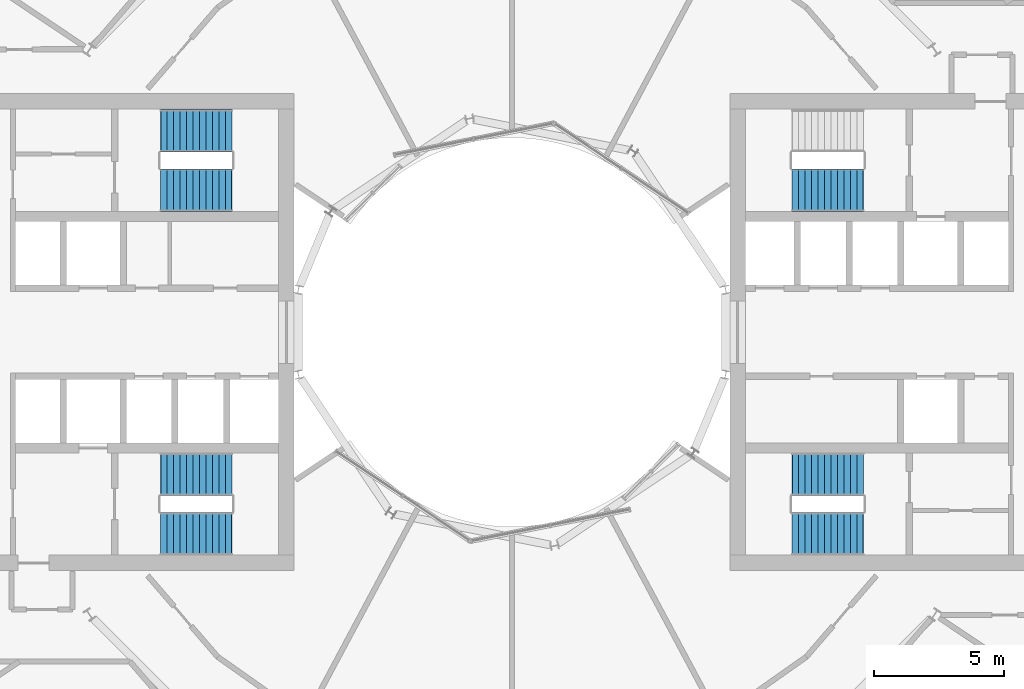
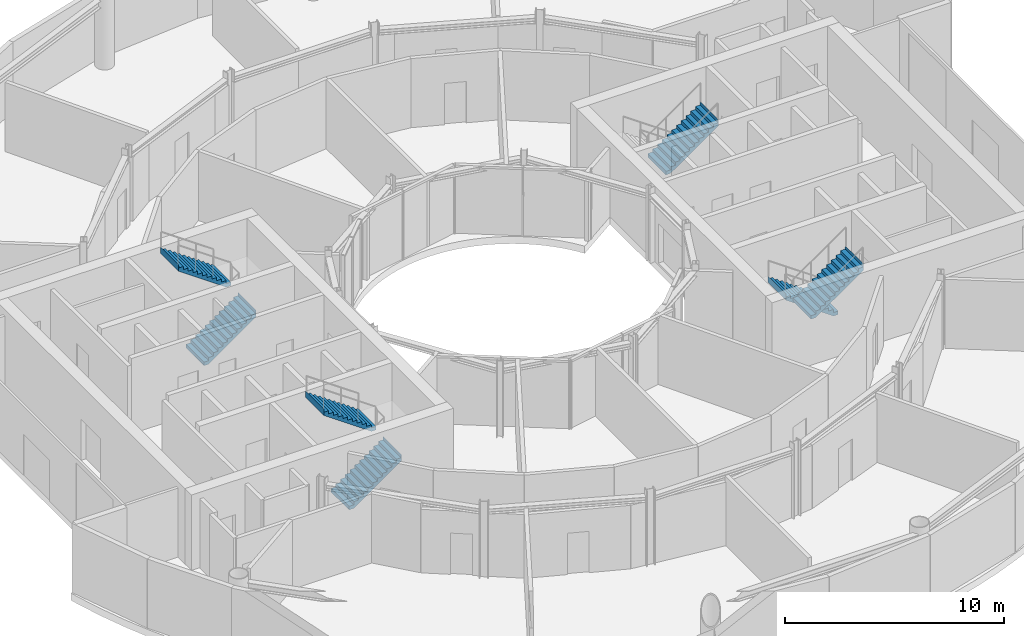
# One storey, part 16 of 18: 7 stair flights, 4 elements without a shape of their own.
"""IFC4 building model written with IfcOpenShell, lengths in metres."""

from ifc_helpers import new_model, si_unit, direction, frame, origin, place, context, subcontext, project, spatial, triangles, material, type_object, element, aggregate, save


model = new_model("IFC4")

# Units and contexts
model_context = context("Model", 3, precision=1e-05, world=origin(), true_north=direction((0.0, 1.0)))
body_context = subcontext(model_context, "Body", "Model", "MODEL_VIEW")
ifc_project = project(units=[si_unit("LENGTHUNIT", "METRE"), si_unit("AREAUNIT", "SQUARE_METRE"), si_unit("VOLUMEUNIT", "CUBIC_METRE"), si_unit("PLANEANGLEUNIT", "RADIAN"), si_unit("MASSUNIT", "GRAM", prefix="KILO")], contexts=[model_context])

# Site, building, storey
site_placement = place(None, origin())
site = spatial("IfcSite", under=ifc_project, at=site_placement, CompositionType="ELEMENT")
building_placement = place(site_placement, origin())
building = spatial("IfcBuilding", under=site, at=building_placement, Name="Maasbend Ring Residences", CompositionType="ELEMENT")
storey_placement = place(building_placement, frame((0.0, 0.0, 103.25)))
storey = spatial("IfcBuildingStorey", under=building, at=storey_placement, Name="L29", CompositionType="ELEMENT", Elevation=103.25)

# Stair, stair flight
ifc_material_1 = material(Name="Concrete C40/50", Category="concrete")
stair_type = type_object("IfcStairType", Name="CORE STAIR 24 RISERS", PredefinedType="HALF_TURN_STAIR", material=ifc_material_1)
stair_1_placement = place(storey_placement, origin())
stair_1 = element("IfcStair", 1, at=stair_1_placement, inside=storey, type_object=stair_type, Name="L29 Exit stair ST-E1", PredefinedType="HALF_TURN_STAIR")
ifc_material_2 = material(Name="Concrete C40/50", Category="concrete")
stair_flight_type = type_object("IfcStairFlightType", Name="CORE STAIR FLIGHT 1650", PredefinedType="STRAIGHT", material=ifc_material_2)
stair_flight_1_placement = place(storey_placement, frame((10.800048828125, 5.47509765625, 2.10009765625), z_axis=(0.0, 0.0, 1.0), x_axis=(1.0, 0.0, 0.0)))
stair_flight_1 = element("IfcStairFlight", 2, at=stair_flight_1_placement, type_object=stair_flight_type, Name="ST-E1 flight 2", NumberOfRisers=12, NumberOfTreads=11, PredefinedType="STRAIGHT", RiserHeight=0.175, TreadLength=0.25, context=body_context, shape_type="Tessellation", body=[
    triangles([(0.23583984375, 0.824951171875, -0.02001953125), (2.7529296875, 0.824951171875, 1.741943359375), (2.7529296875, 0.824951171875, 2.10009765625), (2.739990234375, 0.824951171875, 1.925048828125), (2.5, 0.824951171875, 1.925048828125), (2.5, 0.824951171875, 1.75), (2.25, 0.824951171875, 1.75), (2.25, 0.824951171875, 1.574951171875), (2.0, 0.824951171875, 1.574951171875), (2.0, 0.824951171875, 1.39990234375), (1.75, 0.824951171875, 1.39990234375), (1.75, 0.824951171875, 1.22509765625), (1.5, 0.824951171875, 1.22509765625), (1.5, 0.824951171875, 1.050048828125), (1.25, 0.824951171875, 1.050048828125), (1.25, 0.824951171875, 0.875), (1.0, 0.824951171875, 0.875), (1.0, 0.824951171875, 0.699951171875), (0.75, 0.824951171875, 0.699951171875), (0.75, 0.824951171875, 0.52490234375), (0.5, 0.824951171875, 0.52490234375), (0.5, 0.824951171875, 0.35009765625), (0.25, 0.824951171875, 0.35009765625), (0.25, 0.824951171875, 0.175048828125), (0.0, 0.824951171875, 0.175048828125), (0.0, 0.824951171875, 0.0), (-0.0029296875, 0.824951171875, 0.0), (-0.0029296875, 0.824951171875, -0.02001953125), (0.23583984375, -0.824951171875, -0.02001953125), (2.7529296875, -0.824951171875, 1.741943359375), (2.7529296875, -0.824951171875, 2.10009765625), (2.739990234375, -0.824951171875, 1.925048828125), (2.5, -0.824951171875, 1.925048828125), (2.5, -0.824951171875, 1.75), (2.25, -0.824951171875, 1.75), (2.25, -0.824951171875, 1.574951171875), (2.0, -0.824951171875, 1.574951171875), (2.0, -0.824951171875, 1.39990234375), (1.75, -0.824951171875, 1.39990234375), (1.75, -0.824951171875, 1.22509765625), (1.5, -0.824951171875, 1.22509765625), (1.5, -0.824951171875, 1.050048828125), (1.25, -0.824951171875, 1.050048828125), (1.25, -0.824951171875, 0.875), (1.0, -0.824951171875, 0.875), (1.0, -0.824951171875, 0.699951171875), (0.75, -0.824951171875, 0.699951171875), (0.75, -0.824951171875, 0.52490234375), (0.5, -0.824951171875, 0.52490234375), (0.5, -0.824951171875, 0.35009765625), (0.25, -0.824951171875, 0.35009765625), (0.25, -0.824951171875, 0.175048828125), (0.0, -0.824951171875, 0.175048828125), (0.0, -0.824951171875, 0.0), (-0.0029296875, -0.824951171875, 0.0), (-0.0029296875, -0.824951171875, -0.02001953125)], [[1, 2, 30], [1, 30, 29], [2, 3, 31], [2, 31, 30], [3, 4, 32], [3, 32, 31], [4, 5, 33], [4, 33, 32], [5, 6, 34], [5, 34, 33], [6, 7, 35], [6, 35, 34], [7, 8, 36], [7, 36, 35], [8, 9, 37], [8, 37, 36], [9, 10, 38], [9, 38, 37], [10, 11, 39], [10, 39, 38], [11, 12, 40], [11, 40, 39], [12, 13, 41], [12, 41, 40], [13, 14, 42], [13, 42, 41], [14, 15, 43], [14, 43, 42], [15, 16, 44], [15, 44, 43], [16, 17, 45], [16, 45, 44], [17, 18, 46], [17, 46, 45], [18, 19, 47], [18, 47, 46], [19, 20, 48], [19, 48, 47], [20, 21, 49], [20, 49, 48], [21, 22, 50], [21, 50, 49], [22, 23, 51], [22, 51, 50], [23, 24, 52], [23, 52, 51], [24, 25, 53], [24, 53, 52], [25, 26, 54], [25, 54, 53], [26, 27, 55], [26, 55, 54], [27, 28, 56], [27, 56, 55], [28, 1, 29], [28, 29, 56], [28, 2, 1], [2, 4, 3], [2, 5, 4], [2, 6, 5], [28, 6, 2], [6, 8, 7], [28, 8, 6], [8, 10, 9], [28, 10, 8], [10, 12, 11], [28, 12, 10], [12, 14, 13], [28, 14, 12], [14, 16, 15], [28, 16, 14], [16, 18, 17], [28, 18, 16], [18, 20, 19], [28, 20, 18], [20, 22, 21], [28, 22, 20], [22, 24, 23], [28, 24, 22], [24, 26, 25], [28, 26, 24], [26, 28, 27], [56, 29, 30], [30, 31, 32], [30, 32, 33], [30, 33, 34], [56, 30, 34], [34, 35, 36], [56, 34, 36], [36, 37, 38], [56, 36, 38], [38, 39, 40], [56, 38, 40], [40, 41, 42], [56, 40, 42], [42, 43, 44], [56, 42, 44], [44, 45, 46], [56, 44, 46], [46, 47, 48], [56, 46, 48], [48, 49, 50], [56, 48, 50], [50, 51, 52], [56, 50, 52], [52, 53, 54], [56, 52, 54], [54, 55, 56]], closed=True),
])
aggregate(stair_1, [stair_flight_1])

# Stair, stair flights
stair_2_placement = place(storey_placement, origin())
stair_2 = element("IfcStair", 3, at=stair_2_placement, inside=storey, type_object=stair_type, Name="L29 Exit stair ST-E2", PredefinedType="HALF_TURN_STAIR")
stair_flight_2_placement = place(storey_placement, frame((13.550048828125, -5.47509765625, 0.0), z_axis=(0.0, 0.0, 1.0), x_axis=(-1.0, 0.0, 0.0)))
stair_flight_2 = element("IfcStairFlight", 4, at=stair_flight_2_placement, type_object=stair_flight_type, Name="ST-E2 flight 1", NumberOfRisers=12, NumberOfTreads=11, PredefinedType="STRAIGHT", RiserHeight=0.175, TreadLength=0.25, context=body_context, shape_type="Tessellation", body=[
    triangles([(0.23583984375, 0.824951171875, -0.02001953125), (2.7529296875, 0.824951171875, 1.741943359375), (2.7529296875, 0.824951171875, 2.10009765625), (2.739990234375, 0.824951171875, 1.925048828125), (2.5, 0.824951171875, 1.925048828125), (2.5, 0.824951171875, 1.75), (2.25, 0.824951171875, 1.75), (2.25, 0.824951171875, 1.574951171875), (2.0, 0.824951171875, 1.574951171875), (2.0, 0.824951171875, 1.39990234375), (1.75, 0.824951171875, 1.39990234375), (1.75, 0.824951171875, 1.22509765625), (1.5, 0.824951171875, 1.22509765625), (1.5, 0.824951171875, 1.050048828125), (1.25, 0.824951171875, 1.050048828125), (1.25, 0.824951171875, 0.875), (1.0, 0.824951171875, 0.875), (1.0, 0.824951171875, 0.699951171875), (0.75, 0.824951171875, 0.699951171875), (0.75, 0.824951171875, 0.52490234375), (0.5, 0.824951171875, 0.52490234375), (0.5, 0.824951171875, 0.35009765625), (0.25, 0.824951171875, 0.35009765625), (0.25, 0.824951171875, 0.175048828125), (0.0, 0.824951171875, 0.175048828125), (0.0, 0.824951171875, 0.0), (-0.0029296875, 0.824951171875, 0.0), (-0.0029296875, 0.824951171875, -0.02001953125), (0.23583984375, -0.824951171875, -0.02001953125), (2.7529296875, -0.824951171875, 1.741943359375), (2.7529296875, -0.824951171875, 2.10009765625), (2.739990234375, -0.824951171875, 1.925048828125), (2.5, -0.824951171875, 1.925048828125), (2.5, -0.824951171875, 1.75), (2.25, -0.824951171875, 1.75), (2.25, -0.824951171875, 1.574951171875), (2.0, -0.824951171875, 1.574951171875), (2.0, -0.824951171875, 1.39990234375), (1.75, -0.824951171875, 1.39990234375), (1.75, -0.824951171875, 1.22509765625), (1.5, -0.824951171875, 1.22509765625), (1.5, -0.824951171875, 1.050048828125), (1.25, -0.824951171875, 1.050048828125), (1.25, -0.824951171875, 0.875), (1.0, -0.824951171875, 0.875), (1.0, -0.824951171875, 0.699951171875), (0.75, -0.824951171875, 0.699951171875), (0.75, -0.824951171875, 0.52490234375), (0.5, -0.824951171875, 0.52490234375), (0.5, -0.824951171875, 0.35009765625), (0.25, -0.824951171875, 0.35009765625), (0.25, -0.824951171875, 0.175048828125), (0.0, -0.824951171875, 0.175048828125), (0.0, -0.824951171875, 0.0), (-0.0029296875, -0.824951171875, 0.0), (-0.0029296875, -0.824951171875, -0.02001953125)], [[1, 2, 30], [1, 30, 29], [2, 3, 31], [2, 31, 30], [3, 4, 32], [3, 32, 31], [4, 5, 33], [4, 33, 32], [5, 6, 34], [5, 34, 33], [6, 7, 35], [6, 35, 34], [7, 8, 36], [7, 36, 35], [8, 9, 37], [8, 37, 36], [9, 10, 38], [9, 38, 37], [10, 11, 39], [10, 39, 38], [11, 12, 40], [11, 40, 39], [12, 13, 41], [12, 41, 40], [13, 14, 42], [13, 42, 41], [14, 15, 43], [14, 43, 42], [15, 16, 44], [15, 44, 43], [16, 17, 45], [16, 45, 44], [17, 18, 46], [17, 46, 45], [18, 19, 47], [18, 47, 46], [19, 20, 48], [19, 48, 47], [20, 21, 49], [20, 49, 48], [21, 22, 50], [21, 50, 49], [22, 23, 51], [22, 51, 50], [23, 24, 52], [23, 52, 51], [24, 25, 53], [24, 53, 52], [25, 26, 54], [25, 54, 53], [26, 27, 55], [26, 55, 54], [27, 28, 56], [27, 56, 55], [28, 1, 29], [28, 29, 56], [28, 2, 1], [2, 4, 3], [2, 5, 4], [2, 6, 5], [28, 6, 2], [6, 8, 7], [28, 8, 6], [8, 10, 9], [28, 10, 8], [10, 12, 11], [28, 12, 10], [12, 14, 13], [28, 14, 12], [14, 16, 15], [28, 16, 14], [16, 18, 17], [28, 18, 16], [18, 20, 19], [28, 20, 18], [20, 22, 21], [28, 22, 20], [22, 24, 23], [28, 24, 22], [24, 26, 25], [28, 26, 24], [26, 28, 27], [56, 29, 30], [30, 31, 32], [30, 32, 33], [30, 33, 34], [56, 30, 34], [34, 35, 36], [56, 34, 36], [36, 37, 38], [56, 36, 38], [38, 39, 40], [56, 38, 40], [40, 41, 42], [56, 40, 42], [42, 43, 44], [56, 42, 44], [44, 45, 46], [56, 44, 46], [46, 47, 48], [56, 46, 48], [48, 49, 50], [56, 48, 50], [50, 51, 52], [56, 50, 52], [52, 53, 54], [56, 52, 54], [54, 55, 56]], closed=True),
])
stair_flight_3_placement = place(storey_placement, frame((10.800048828125, -7.77490234375, 2.10009765625), z_axis=(0.0, 0.0, 1.0), x_axis=(1.0, 0.0, 0.0)))
stair_flight_3 = element("IfcStairFlight", 5, at=stair_flight_3_placement, type_object=stair_flight_type, Name="ST-E2 flight 2", NumberOfRisers=12, NumberOfTreads=11, PredefinedType="STRAIGHT", RiserHeight=0.175, TreadLength=0.25, context=body_context, shape_type="Tessellation", body=[
    triangles([(0.23583984375, 0.824951171875, -0.02001953125), (2.7529296875, 0.824951171875, 1.741943359375), (2.7529296875, 0.824951171875, 2.10009765625), (2.739990234375, 0.824951171875, 1.925048828125), (2.5, 0.824951171875, 1.925048828125), (2.5, 0.824951171875, 1.75), (2.25, 0.824951171875, 1.75), (2.25, 0.824951171875, 1.574951171875), (2.0, 0.824951171875, 1.574951171875), (2.0, 0.824951171875, 1.39990234375), (1.75, 0.824951171875, 1.39990234375), (1.75, 0.824951171875, 1.22509765625), (1.5, 0.824951171875, 1.22509765625), (1.5, 0.824951171875, 1.050048828125), (1.25, 0.824951171875, 1.050048828125), (1.25, 0.824951171875, 0.875), (1.0, 0.824951171875, 0.875), (1.0, 0.824951171875, 0.699951171875), (0.75, 0.824951171875, 0.699951171875), (0.75, 0.824951171875, 0.52490234375), (0.5, 0.824951171875, 0.52490234375), (0.5, 0.824951171875, 0.35009765625), (0.25, 0.824951171875, 0.35009765625), (0.25, 0.824951171875, 0.175048828125), (0.0, 0.824951171875, 0.175048828125), (0.0, 0.824951171875, 0.0), (-0.0029296875, 0.824951171875, 0.0), (-0.0029296875, 0.824951171875, -0.02001953125), (0.23583984375, -0.824951171875, -0.02001953125), (2.7529296875, -0.824951171875, 1.741943359375), (2.7529296875, -0.824951171875, 2.10009765625), (2.739990234375, -0.824951171875, 1.925048828125), (2.5, -0.824951171875, 1.925048828125), (2.5, -0.824951171875, 1.75), (2.25, -0.824951171875, 1.75), (2.25, -0.824951171875, 1.574951171875), (2.0, -0.824951171875, 1.574951171875), (2.0, -0.824951171875, 1.39990234375), (1.75, -0.824951171875, 1.39990234375), (1.75, -0.824951171875, 1.22509765625), (1.5, -0.824951171875, 1.22509765625), (1.5, -0.824951171875, 1.050048828125), (1.25, -0.824951171875, 1.050048828125), (1.25, -0.824951171875, 0.875), (1.0, -0.824951171875, 0.875), (1.0, -0.824951171875, 0.699951171875), (0.75, -0.824951171875, 0.699951171875), (0.75, -0.824951171875, 0.52490234375), (0.5, -0.824951171875, 0.52490234375), (0.5, -0.824951171875, 0.35009765625), (0.25, -0.824951171875, 0.35009765625), (0.25, -0.824951171875, 0.175048828125), (0.0, -0.824951171875, 0.175048828125), (0.0, -0.824951171875, 0.0), (-0.0029296875, -0.824951171875, 0.0), (-0.0029296875, -0.824951171875, -0.02001953125)], [[1, 2, 30], [1, 30, 29], [2, 3, 31], [2, 31, 30], [3, 4, 32], [3, 32, 31], [4, 5, 33], [4, 33, 32], [5, 6, 34], [5, 34, 33], [6, 7, 35], [6, 35, 34], [7, 8, 36], [7, 36, 35], [8, 9, 37], [8, 37, 36], [9, 10, 38], [9, 38, 37], [10, 11, 39], [10, 39, 38], [11, 12, 40], [11, 40, 39], [12, 13, 41], [12, 41, 40], [13, 14, 42], [13, 42, 41], [14, 15, 43], [14, 43, 42], [15, 16, 44], [15, 44, 43], [16, 17, 45], [16, 45, 44], [17, 18, 46], [17, 46, 45], [18, 19, 47], [18, 47, 46], [19, 20, 48], [19, 48, 47], [20, 21, 49], [20, 49, 48], [21, 22, 50], [21, 50, 49], [22, 23, 51], [22, 51, 50], [23, 24, 52], [23, 52, 51], [24, 25, 53], [24, 53, 52], [25, 26, 54], [25, 54, 53], [26, 27, 55], [26, 55, 54], [27, 28, 56], [27, 56, 55], [28, 1, 29], [28, 29, 56], [28, 2, 1], [2, 4, 3], [2, 5, 4], [2, 6, 5], [28, 6, 2], [6, 8, 7], [28, 8, 6], [8, 10, 9], [28, 10, 8], [10, 12, 11], [28, 12, 10], [12, 14, 13], [28, 14, 12], [14, 16, 15], [28, 16, 14], [16, 18, 17], [28, 18, 16], [18, 20, 19], [28, 20, 18], [20, 22, 21], [28, 22, 20], [22, 24, 23], [28, 24, 22], [24, 26, 25], [28, 26, 24], [26, 28, 27], [56, 29, 30], [30, 31, 32], [30, 32, 33], [30, 33, 34], [56, 30, 34], [34, 35, 36], [56, 34, 36], [36, 37, 38], [56, 36, 38], [38, 39, 40], [56, 38, 40], [40, 41, 42], [56, 40, 42], [42, 43, 44], [56, 42, 44], [44, 45, 46], [56, 44, 46], [46, 47, 48], [56, 46, 48], [48, 49, 50], [56, 48, 50], [50, 51, 52], [56, 50, 52], [52, 53, 54], [56, 52, 54], [54, 55, 56]], closed=True),
])
aggregate(stair_2, [stair_flight_2, stair_flight_3])

stair_3_placement = place(storey_placement, origin())
stair_3 = element("IfcStair", 6, at=stair_3_placement, inside=storey, type_object=stair_type, Name="L29 Exit stair ST-W1", PredefinedType="HALF_TURN_STAIR")
stair_flight_4_placement = place(storey_placement, frame((-13.550048828125, -7.77490234375, 0.0), z_axis=(0.0, 0.0, 1.0), x_axis=(1.0, 0.0, 0.0)))
stair_flight_4 = element("IfcStairFlight", 7, at=stair_flight_4_placement, type_object=stair_flight_type, Name="ST-W1 flight 1", NumberOfRisers=12, NumberOfTreads=11, PredefinedType="STRAIGHT", RiserHeight=0.175, TreadLength=0.25, context=body_context, shape_type="Tessellation", body=[
    triangles([(0.23583984375, 0.824951171875, -0.02001953125), (2.7529296875, 0.824951171875, 1.741943359375), (2.7529296875, 0.824951171875, 2.10009765625), (2.739990234375, 0.824951171875, 1.925048828125), (2.5, 0.824951171875, 1.925048828125), (2.5, 0.824951171875, 1.75), (2.25, 0.824951171875, 1.75), (2.25, 0.824951171875, 1.574951171875), (2.0, 0.824951171875, 1.574951171875), (2.0, 0.824951171875, 1.39990234375), (1.75, 0.824951171875, 1.39990234375), (1.75, 0.824951171875, 1.22509765625), (1.5, 0.824951171875, 1.22509765625), (1.5, 0.824951171875, 1.050048828125), (1.25, 0.824951171875, 1.050048828125), (1.25, 0.824951171875, 0.875), (1.0, 0.824951171875, 0.875), (1.0, 0.824951171875, 0.699951171875), (0.75, 0.824951171875, 0.699951171875), (0.75, 0.824951171875, 0.52490234375), (0.5, 0.824951171875, 0.52490234375), (0.5, 0.824951171875, 0.35009765625), (0.25, 0.824951171875, 0.35009765625), (0.25, 0.824951171875, 0.175048828125), (0.0, 0.824951171875, 0.175048828125), (0.0, 0.824951171875, 0.0), (-0.0029296875, 0.824951171875, 0.0), (-0.0029296875, 0.824951171875, -0.02001953125), (0.23583984375, -0.824951171875, -0.02001953125), (2.7529296875, -0.824951171875, 1.741943359375), (2.7529296875, -0.824951171875, 2.10009765625), (2.739990234375, -0.824951171875, 1.925048828125), (2.5, -0.824951171875, 1.925048828125), (2.5, -0.824951171875, 1.75), (2.25, -0.824951171875, 1.75), (2.25, -0.824951171875, 1.574951171875), (2.0, -0.824951171875, 1.574951171875), (2.0, -0.824951171875, 1.39990234375), (1.75, -0.824951171875, 1.39990234375), (1.75, -0.824951171875, 1.22509765625), (1.5, -0.824951171875, 1.22509765625), (1.5, -0.824951171875, 1.050048828125), (1.25, -0.824951171875, 1.050048828125), (1.25, -0.824951171875, 0.875), (1.0, -0.824951171875, 0.875), (1.0, -0.824951171875, 0.699951171875), (0.75, -0.824951171875, 0.699951171875), (0.75, -0.824951171875, 0.52490234375), (0.5, -0.824951171875, 0.52490234375), (0.5, -0.824951171875, 0.35009765625), (0.25, -0.824951171875, 0.35009765625), (0.25, -0.824951171875, 0.175048828125), (0.0, -0.824951171875, 0.175048828125), (0.0, -0.824951171875, 0.0), (-0.0029296875, -0.824951171875, 0.0), (-0.0029296875, -0.824951171875, -0.02001953125)], [[1, 2, 30], [1, 30, 29], [2, 3, 31], [2, 31, 30], [3, 4, 32], [3, 32, 31], [4, 5, 33], [4, 33, 32], [5, 6, 34], [5, 34, 33], [6, 7, 35], [6, 35, 34], [7, 8, 36], [7, 36, 35], [8, 9, 37], [8, 37, 36], [9, 10, 38], [9, 38, 37], [10, 11, 39], [10, 39, 38], [11, 12, 40], [11, 40, 39], [12, 13, 41], [12, 41, 40], [13, 14, 42], [13, 42, 41], [14, 15, 43], [14, 43, 42], [15, 16, 44], [15, 44, 43], [16, 17, 45], [16, 45, 44], [17, 18, 46], [17, 46, 45], [18, 19, 47], [18, 47, 46], [19, 20, 48], [19, 48, 47], [20, 21, 49], [20, 49, 48], [21, 22, 50], [21, 50, 49], [22, 23, 51], [22, 51, 50], [23, 24, 52], [23, 52, 51], [24, 25, 53], [24, 53, 52], [25, 26, 54], [25, 54, 53], [26, 27, 55], [26, 55, 54], [27, 28, 56], [27, 56, 55], [28, 1, 29], [28, 29, 56], [28, 2, 1], [2, 4, 3], [2, 5, 4], [2, 6, 5], [28, 6, 2], [6, 8, 7], [28, 8, 6], [8, 10, 9], [28, 10, 8], [10, 12, 11], [28, 12, 10], [12, 14, 13], [28, 14, 12], [14, 16, 15], [28, 16, 14], [16, 18, 17], [28, 18, 16], [18, 20, 19], [28, 20, 18], [20, 22, 21], [28, 22, 20], [22, 24, 23], [28, 24, 22], [24, 26, 25], [28, 26, 24], [26, 28, 27], [56, 29, 30], [30, 31, 32], [30, 32, 33], [30, 33, 34], [56, 30, 34], [34, 35, 36], [56, 34, 36], [36, 37, 38], [56, 36, 38], [38, 39, 40], [56, 38, 40], [40, 41, 42], [56, 40, 42], [42, 43, 44], [56, 42, 44], [44, 45, 46], [56, 44, 46], [46, 47, 48], [56, 46, 48], [48, 49, 50], [56, 48, 50], [50, 51, 52], [56, 50, 52], [52, 53, 54], [56, 52, 54], [54, 55, 56]], closed=True),
])
stair_flight_5_placement = place(storey_placement, frame((-10.800048828125, -5.47509765625, 2.10009765625), z_axis=(0.0, 0.0, 1.0), x_axis=(-1.0, 0.0, 0.0)))
stair_flight_5 = element("IfcStairFlight", 8, at=stair_flight_5_placement, type_object=stair_flight_type, Name="ST-W1 flight 2", NumberOfRisers=12, NumberOfTreads=11, PredefinedType="STRAIGHT", RiserHeight=0.175, TreadLength=0.25, context=body_context, shape_type="Tessellation", body=[
    triangles([(0.23583984375, 0.824951171875, -0.02001953125), (2.7529296875, 0.824951171875, 1.741943359375), (2.7529296875, 0.824951171875, 2.10009765625), (2.739990234375, 0.824951171875, 1.925048828125), (2.5, 0.824951171875, 1.925048828125), (2.5, 0.824951171875, 1.75), (2.25, 0.824951171875, 1.75), (2.25, 0.824951171875, 1.574951171875), (2.0, 0.824951171875, 1.574951171875), (2.0, 0.824951171875, 1.39990234375), (1.75, 0.824951171875, 1.39990234375), (1.75, 0.824951171875, 1.22509765625), (1.5, 0.824951171875, 1.22509765625), (1.5, 0.824951171875, 1.050048828125), (1.25, 0.824951171875, 1.050048828125), (1.25, 0.824951171875, 0.875), (1.0, 0.824951171875, 0.875), (1.0, 0.824951171875, 0.699951171875), (0.75, 0.824951171875, 0.699951171875), (0.75, 0.824951171875, 0.52490234375), (0.5, 0.824951171875, 0.52490234375), (0.5, 0.824951171875, 0.35009765625), (0.25, 0.824951171875, 0.35009765625), (0.25, 0.824951171875, 0.175048828125), (0.0, 0.824951171875, 0.175048828125), (0.0, 0.824951171875, 0.0), (-0.0029296875, 0.824951171875, 0.0), (-0.0029296875, 0.824951171875, -0.02001953125), (0.23583984375, -0.824951171875, -0.02001953125), (2.7529296875, -0.824951171875, 1.741943359375), (2.7529296875, -0.824951171875, 2.10009765625), (2.739990234375, -0.824951171875, 1.925048828125), (2.5, -0.824951171875, 1.925048828125), (2.5, -0.824951171875, 1.75), (2.25, -0.824951171875, 1.75), (2.25, -0.824951171875, 1.574951171875), (2.0, -0.824951171875, 1.574951171875), (2.0, -0.824951171875, 1.39990234375), (1.75, -0.824951171875, 1.39990234375), (1.75, -0.824951171875, 1.22509765625), (1.5, -0.824951171875, 1.22509765625), (1.5, -0.824951171875, 1.050048828125), (1.25, -0.824951171875, 1.050048828125), (1.25, -0.824951171875, 0.875), (1.0, -0.824951171875, 0.875), (1.0, -0.824951171875, 0.699951171875), (0.75, -0.824951171875, 0.699951171875), (0.75, -0.824951171875, 0.52490234375), (0.5, -0.824951171875, 0.52490234375), (0.5, -0.824951171875, 0.35009765625), (0.25, -0.824951171875, 0.35009765625), (0.25, -0.824951171875, 0.175048828125), (0.0, -0.824951171875, 0.175048828125), (0.0, -0.824951171875, 0.0), (-0.0029296875, -0.824951171875, 0.0), (-0.0029296875, -0.824951171875, -0.02001953125)], [[1, 2, 30], [1, 30, 29], [2, 3, 31], [2, 31, 30], [3, 4, 32], [3, 32, 31], [4, 5, 33], [4, 33, 32], [5, 6, 34], [5, 34, 33], [6, 7, 35], [6, 35, 34], [7, 8, 36], [7, 36, 35], [8, 9, 37], [8, 37, 36], [9, 10, 38], [9, 38, 37], [10, 11, 39], [10, 39, 38], [11, 12, 40], [11, 40, 39], [12, 13, 41], [12, 41, 40], [13, 14, 42], [13, 42, 41], [14, 15, 43], [14, 43, 42], [15, 16, 44], [15, 44, 43], [16, 17, 45], [16, 45, 44], [17, 18, 46], [17, 46, 45], [18, 19, 47], [18, 47, 46], [19, 20, 48], [19, 48, 47], [20, 21, 49], [20, 49, 48], [21, 22, 50], [21, 50, 49], [22, 23, 51], [22, 51, 50], [23, 24, 52], [23, 52, 51], [24, 25, 53], [24, 53, 52], [25, 26, 54], [25, 54, 53], [26, 27, 55], [26, 55, 54], [27, 28, 56], [27, 56, 55], [28, 1, 29], [28, 29, 56], [28, 2, 1], [2, 4, 3], [2, 5, 4], [2, 6, 5], [28, 6, 2], [6, 8, 7], [28, 8, 6], [8, 10, 9], [28, 10, 8], [10, 12, 11], [28, 12, 10], [12, 14, 13], [28, 14, 12], [14, 16, 15], [28, 16, 14], [16, 18, 17], [28, 18, 16], [18, 20, 19], [28, 20, 18], [20, 22, 21], [28, 22, 20], [22, 24, 23], [28, 24, 22], [24, 26, 25], [28, 26, 24], [26, 28, 27], [56, 29, 30], [30, 31, 32], [30, 32, 33], [30, 33, 34], [56, 30, 34], [34, 35, 36], [56, 34, 36], [36, 37, 38], [56, 36, 38], [38, 39, 40], [56, 38, 40], [40, 41, 42], [56, 40, 42], [42, 43, 44], [56, 42, 44], [44, 45, 46], [56, 44, 46], [46, 47, 48], [56, 46, 48], [48, 49, 50], [56, 48, 50], [50, 51, 52], [56, 50, 52], [52, 53, 54], [56, 52, 54], [54, 55, 56]], closed=True),
])
aggregate(stair_3, [stair_flight_4, stair_flight_5])

stair_4_placement = place(storey_placement, origin())
stair_4 = element("IfcStair", 9, at=stair_4_placement, inside=storey, type_object=stair_type, Name="L29 Exit stair ST-W2", PredefinedType="HALF_TURN_STAIR")
stair_flight_6_placement = place(storey_placement, frame((-13.550048828125, 5.47509765625, 0.0), z_axis=(0.0, 0.0, 1.0), x_axis=(1.0, 0.0, 0.0)))
stair_flight_6 = element("IfcStairFlight", 10, at=stair_flight_6_placement, type_object=stair_flight_type, Name="ST-W2 flight 1", NumberOfRisers=12, NumberOfTreads=11, PredefinedType="STRAIGHT", RiserHeight=0.175, TreadLength=0.25, context=body_context, shape_type="Tessellation", body=[
    triangles([(0.23583984375, 0.824951171875, -0.02001953125), (2.7529296875, 0.824951171875, 1.741943359375), (2.7529296875, 0.824951171875, 2.10009765625), (2.739990234375, 0.824951171875, 1.925048828125), (2.5, 0.824951171875, 1.925048828125), (2.5, 0.824951171875, 1.75), (2.25, 0.824951171875, 1.75), (2.25, 0.824951171875, 1.574951171875), (2.0, 0.824951171875, 1.574951171875), (2.0, 0.824951171875, 1.39990234375), (1.75, 0.824951171875, 1.39990234375), (1.75, 0.824951171875, 1.22509765625), (1.5, 0.824951171875, 1.22509765625), (1.5, 0.824951171875, 1.050048828125), (1.25, 0.824951171875, 1.050048828125), (1.25, 0.824951171875, 0.875), (1.0, 0.824951171875, 0.875), (1.0, 0.824951171875, 0.699951171875), (0.75, 0.824951171875, 0.699951171875), (0.75, 0.824951171875, 0.52490234375), (0.5, 0.824951171875, 0.52490234375), (0.5, 0.824951171875, 0.35009765625), (0.25, 0.824951171875, 0.35009765625), (0.25, 0.824951171875, 0.175048828125), (0.0, 0.824951171875, 0.175048828125), (0.0, 0.824951171875, 0.0), (-0.0029296875, 0.824951171875, 0.0), (-0.0029296875, 0.824951171875, -0.02001953125), (0.23583984375, -0.824951171875, -0.02001953125), (2.7529296875, -0.824951171875, 1.741943359375), (2.7529296875, -0.824951171875, 2.10009765625), (2.739990234375, -0.824951171875, 1.925048828125), (2.5, -0.824951171875, 1.925048828125), (2.5, -0.824951171875, 1.75), (2.25, -0.824951171875, 1.75), (2.25, -0.824951171875, 1.574951171875), (2.0, -0.824951171875, 1.574951171875), (2.0, -0.824951171875, 1.39990234375), (1.75, -0.824951171875, 1.39990234375), (1.75, -0.824951171875, 1.22509765625), (1.5, -0.824951171875, 1.22509765625), (1.5, -0.824951171875, 1.050048828125), (1.25, -0.824951171875, 1.050048828125), (1.25, -0.824951171875, 0.875), (1.0, -0.824951171875, 0.875), (1.0, -0.824951171875, 0.699951171875), (0.75, -0.824951171875, 0.699951171875), (0.75, -0.824951171875, 0.52490234375), (0.5, -0.824951171875, 0.52490234375), (0.5, -0.824951171875, 0.35009765625), (0.25, -0.824951171875, 0.35009765625), (0.25, -0.824951171875, 0.175048828125), (0.0, -0.824951171875, 0.175048828125), (0.0, -0.824951171875, 0.0), (-0.0029296875, -0.824951171875, 0.0), (-0.0029296875, -0.824951171875, -0.02001953125)], [[1, 2, 30], [1, 30, 29], [2, 3, 31], [2, 31, 30], [3, 4, 32], [3, 32, 31], [4, 5, 33], [4, 33, 32], [5, 6, 34], [5, 34, 33], [6, 7, 35], [6, 35, 34], [7, 8, 36], [7, 36, 35], [8, 9, 37], [8, 37, 36], [9, 10, 38], [9, 38, 37], [10, 11, 39], [10, 39, 38], [11, 12, 40], [11, 40, 39], [12, 13, 41], [12, 41, 40], [13, 14, 42], [13, 42, 41], [14, 15, 43], [14, 43, 42], [15, 16, 44], [15, 44, 43], [16, 17, 45], [16, 45, 44], [17, 18, 46], [17, 46, 45], [18, 19, 47], [18, 47, 46], [19, 20, 48], [19, 48, 47], [20, 21, 49], [20, 49, 48], [21, 22, 50], [21, 50, 49], [22, 23, 51], [22, 51, 50], [23, 24, 52], [23, 52, 51], [24, 25, 53], [24, 53, 52], [25, 26, 54], [25, 54, 53], [26, 27, 55], [26, 55, 54], [27, 28, 56], [27, 56, 55], [28, 1, 29], [28, 29, 56], [28, 2, 1], [2, 4, 3], [2, 5, 4], [2, 6, 5], [28, 6, 2], [6, 8, 7], [28, 8, 6], [8, 10, 9], [28, 10, 8], [10, 12, 11], [28, 12, 10], [12, 14, 13], [28, 14, 12], [14, 16, 15], [28, 16, 14], [16, 18, 17], [28, 18, 16], [18, 20, 19], [28, 20, 18], [20, 22, 21], [28, 22, 20], [22, 24, 23], [28, 24, 22], [24, 26, 25], [28, 26, 24], [26, 28, 27], [56, 29, 30], [30, 31, 32], [30, 32, 33], [30, 33, 34], [56, 30, 34], [34, 35, 36], [56, 34, 36], [36, 37, 38], [56, 36, 38], [38, 39, 40], [56, 38, 40], [40, 41, 42], [56, 40, 42], [42, 43, 44], [56, 42, 44], [44, 45, 46], [56, 44, 46], [46, 47, 48], [56, 46, 48], [48, 49, 50], [56, 48, 50], [50, 51, 52], [56, 50, 52], [52, 53, 54], [56, 52, 54], [54, 55, 56]], closed=True),
])
stair_flight_7_placement = place(storey_placement, frame((-10.800048828125, 7.77490234375, 2.10009765625), z_axis=(0.0, 0.0, 1.0), x_axis=(-1.0, 0.0, 0.0)))
stair_flight_7 = element("IfcStairFlight", 11, at=stair_flight_7_placement, type_object=stair_flight_type, Name="ST-W2 flight 2", NumberOfRisers=12, NumberOfTreads=11, PredefinedType="STRAIGHT", RiserHeight=0.175, TreadLength=0.25, context=body_context, shape_type="Tessellation", body=[
    triangles([(0.23583984375, 0.824951171875, -0.02001953125), (2.7529296875, 0.824951171875, 1.741943359375), (2.7529296875, 0.824951171875, 2.10009765625), (2.739990234375, 0.824951171875, 1.925048828125), (2.5, 0.824951171875, 1.925048828125), (2.5, 0.824951171875, 1.75), (2.25, 0.824951171875, 1.75), (2.25, 0.824951171875, 1.574951171875), (2.0, 0.824951171875, 1.574951171875), (2.0, 0.824951171875, 1.39990234375), (1.75, 0.824951171875, 1.39990234375), (1.75, 0.824951171875, 1.22509765625), (1.5, 0.824951171875, 1.22509765625), (1.5, 0.824951171875, 1.050048828125), (1.25, 0.824951171875, 1.050048828125), (1.25, 0.824951171875, 0.875), (1.0, 0.824951171875, 0.875), (1.0, 0.824951171875, 0.699951171875), (0.75, 0.824951171875, 0.699951171875), (0.75, 0.824951171875, 0.52490234375), (0.5, 0.824951171875, 0.52490234375), (0.5, 0.824951171875, 0.35009765625), (0.25, 0.824951171875, 0.35009765625), (0.25, 0.824951171875, 0.175048828125), (0.0, 0.824951171875, 0.175048828125), (0.0, 0.824951171875, 0.0), (-0.0029296875, 0.824951171875, 0.0), (-0.0029296875, 0.824951171875, -0.02001953125), (0.23583984375, -0.824951171875, -0.02001953125), (2.7529296875, -0.824951171875, 1.741943359375), (2.7529296875, -0.824951171875, 2.10009765625), (2.739990234375, -0.824951171875, 1.925048828125), (2.5, -0.824951171875, 1.925048828125), (2.5, -0.824951171875, 1.75), (2.25, -0.824951171875, 1.75), (2.25, -0.824951171875, 1.574951171875), (2.0, -0.824951171875, 1.574951171875), (2.0, -0.824951171875, 1.39990234375), (1.75, -0.824951171875, 1.39990234375), (1.75, -0.824951171875, 1.22509765625), (1.5, -0.824951171875, 1.22509765625), (1.5, -0.824951171875, 1.050048828125), (1.25, -0.824951171875, 1.050048828125), (1.25, -0.824951171875, 0.875), (1.0, -0.824951171875, 0.875), (1.0, -0.824951171875, 0.699951171875), (0.75, -0.824951171875, 0.699951171875), (0.75, -0.824951171875, 0.52490234375), (0.5, -0.824951171875, 0.52490234375), (0.5, -0.824951171875, 0.35009765625), (0.25, -0.824951171875, 0.35009765625), (0.25, -0.824951171875, 0.175048828125), (0.0, -0.824951171875, 0.175048828125), (0.0, -0.824951171875, 0.0), (-0.0029296875, -0.824951171875, 0.0), (-0.0029296875, -0.824951171875, -0.02001953125)], [[1, 2, 30], [1, 30, 29], [2, 3, 31], [2, 31, 30], [3, 4, 32], [3, 32, 31], [4, 5, 33], [4, 33, 32], [5, 6, 34], [5, 34, 33], [6, 7, 35], [6, 35, 34], [7, 8, 36], [7, 36, 35], [8, 9, 37], [8, 37, 36], [9, 10, 38], [9, 38, 37], [10, 11, 39], [10, 39, 38], [11, 12, 40], [11, 40, 39], [12, 13, 41], [12, 41, 40], [13, 14, 42], [13, 42, 41], [14, 15, 43], [14, 43, 42], [15, 16, 44], [15, 44, 43], [16, 17, 45], [16, 45, 44], [17, 18, 46], [17, 46, 45], [18, 19, 47], [18, 47, 46], [19, 20, 48], [19, 48, 47], [20, 21, 49], [20, 49, 48], [21, 22, 50], [21, 50, 49], [22, 23, 51], [22, 51, 50], [23, 24, 52], [23, 52, 51], [24, 25, 53], [24, 53, 52], [25, 26, 54], [25, 54, 53], [26, 27, 55], [26, 55, 54], [27, 28, 56], [27, 56, 55], [28, 1, 29], [28, 29, 56], [28, 2, 1], [2, 4, 3], [2, 5, 4], [2, 6, 5], [28, 6, 2], [6, 8, 7], [28, 8, 6], [8, 10, 9], [28, 10, 8], [10, 12, 11], [28, 12, 10], [12, 14, 13], [28, 14, 12], [14, 16, 15], [28, 16, 14], [16, 18, 17], [28, 18, 16], [18, 20, 19], [28, 20, 18], [20, 22, 21], [28, 22, 20], [22, 24, 23], [28, 24, 22], [24, 26, 25], [28, 26, 24], [26, 28, 27], [56, 29, 30], [30, 31, 32], [30, 32, 33], [30, 33, 34], [56, 30, 34], [34, 35, 36], [56, 34, 36], [36, 37, 38], [56, 36, 38], [38, 39, 40], [56, 38, 40], [40, 41, 42], [56, 40, 42], [42, 43, 44], [56, 42, 44], [44, 45, 46], [56, 44, 46], [46, 47, 48], [56, 46, 48], [48, 49, 50], [56, 48, 50], [50, 51, 52], [56, 50, 52], [52, 53, 54], [56, 52, 54], [54, 55, 56]], closed=True),
])
aggregate(stair_4, [stair_flight_6, stair_flight_7])

save(model, "model.ifc")
